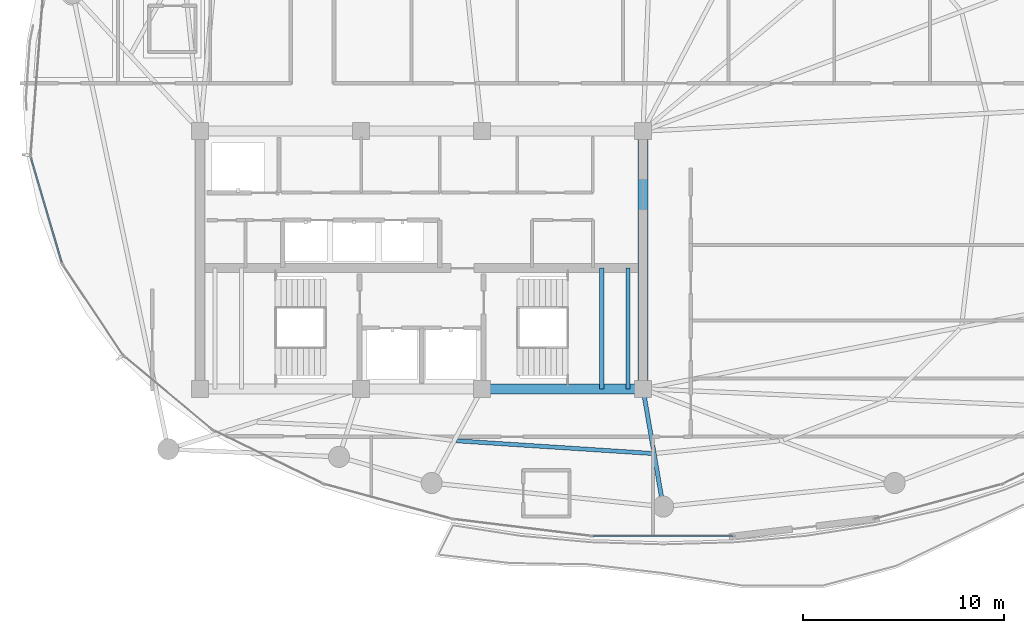
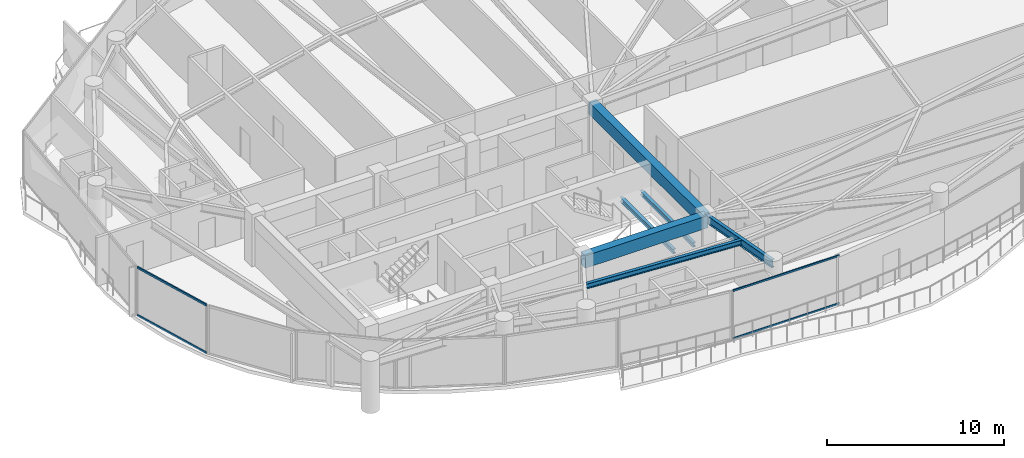
# One storey, part 7 of 31: 6 beams, 4 members, 2 elements without a shape of their own.
"""IFC4 building model written with IfcOpenShell, lengths in metres."""

from ifc_helpers import new_model, si_unit, direction, frame, origin, origin_2d, place, context, subcontext, project, spatial, rectangle, hollow_rectangle, i_section, extrude, material, layer, layer_set, material_profile, profile_set, type_object, element, aggregate, save


model = new_model("IFC4")

# Units and contexts
model_context = context("Model", 3, precision=1e-05, world=origin(), true_north=direction((0.0, 1.0)))
body_context = subcontext(model_context, "Body", "Model", "MODEL_VIEW")
ifc_project = project(units=[si_unit("LENGTHUNIT", "METRE"), si_unit("AREAUNIT", "SQUARE_METRE"), si_unit("VOLUMEUNIT", "CUBIC_METRE"), si_unit("PLANEANGLEUNIT", "RADIAN"), si_unit("MASSUNIT", "GRAM", prefix="KILO")], contexts=[model_context])

# Site, building, storey
site_placement = place(None, origin())
site = spatial("IfcSite", under=ifc_project, at=site_placement, CompositionType="ELEMENT")
building_placement = place(site_placement, origin())
building = spatial("IfcBuilding", under=site, at=building_placement, Name="Kazevale Care Tower and Concert Hall", CompositionType="ELEMENT")
storey_placement = place(building_placement, frame((0.0, 0.0, 235.199951171875)))
storey = spatial("IfcBuildingStorey", under=building, at=storey_placement, Name="L62", CompositionType="ELEMENT", Elevation=235.199951171875)

# Curtain wall, members
ifc_material_1 = material(Name="Aluminium 6063-T6 and Low-E Glass", Category="aluminium")
ifc_layer_1 = layer(ifc_material_1, 0.179931640625)
ifc_layer_set_1 = layer_set([ifc_layer_1], Name="Aluminium 6063-T6 and Low-E Glass")
curtain_wall_type_1 = type_object("IfcCurtainWallType", Name="Waist & Upper Residential Curtain Wall CW-4", PredefinedType="NOTDEFINED", material=ifc_layer_set_1)
curtain_wall_1_placement = place(storey_placement, origin())
curtain_wall_1 = element("IfcCurtainWall", 1, at=curtain_wall_1_placement, inside=storey, type_object=curtain_wall_type_1, Name="cw:L62:f12", PredefinedType="NOTDEFINED")
ifc_material_2 = material(Name="Aluminium 6063-T6", Category="aluminium")
ifc_material_profile_1 = material_profile(ifc_material_2, hollow_rectangle(XDim=0.080078125, YDim=0.139892578125, WallThickness=0.00390625, at=origin_2d()), Name="ALU80x140x4")
ifc_profile_set_1 = profile_set([ifc_material_profile_1], Name="Aluminium 6063-T6")
member_type_1 = type_object("IfcMemberType", Name="CW-4 Transom ALU80x140x4", PredefinedType="USERDEFINED", material=ifc_profile_set_1)
member_1_placement = place(storey_placement, frame((15.12548828125, 29.897705078125, 0.0400390625), z_axis=(-0.282102705943, 0.95938421047, 0.0), x_axis=(-0.95938421047, -0.282102705943, 0.0)))
member_1 = element("IfcMember", 2, at=member_1_placement, type_object=member_type_1, Name="CW-4 transom 1.1", ObjectType="TRANSOM", PredefinedType="USERDEFINED", context=body_context, shape_type="SweptSolid", body=[
    extrude(hollow_rectangle(XDim=0.080078125, YDim=0.139892578125, WallThickness=0.00390625, at=origin_2d()), origin(), (0.0, 0.0, 1.0), 5.402099609375),
])
member_2_placement = place(storey_placement, frame((15.12548828125, 29.897705078125, 3.320068359375), z_axis=(-0.282102705943, 0.95938421047, 0.0), x_axis=(-0.95938421047, -0.282102705943, 0.0)))
member_2 = element("IfcMember", 3, at=member_2_placement, type_object=member_type_1, Name="CW-4 transom 1.2", ObjectType="TRANSOM", PredefinedType="USERDEFINED", context=body_context, shape_type="SweptSolid", body=[
    extrude(hollow_rectangle(XDim=0.080078125, YDim=0.139892578125, WallThickness=0.00390625, at=origin_2d()), origin(), (0.0, 0.0, 1.0), 5.402099609375),
])
aggregate(curtain_wall_1, [member_1, member_2])

ifc_layer_2 = layer(ifc_material_1, 0.179931640625)
ifc_layer_set_2 = layer_set([ifc_layer_2], Name="Aluminium 6063-T6 and Low-E Glass")
curtain_wall_type_2 = type_object("IfcCurtainWallType", Name="Sheltered Concave Balcony Curtain Wall CW-5", PredefinedType="NOTDEFINED", material=ifc_layer_set_2)
curtain_wall_2_placement = place(storey_placement, origin())
curtain_wall_2 = element("IfcCurtainWall", 4, at=curtain_wall_2_placement, inside=storey, type_object=curtain_wall_type_2, Name="cw:L62:f06", PredefinedType="NOTDEFINED")
ifc_material_profile_2 = material_profile(ifc_material_2, hollow_rectangle(XDim=0.074951171875, YDim=0.1201171875, WallThickness=0.00390625, at=origin_2d()), Name="ALU75x120x4")
ifc_profile_set_2 = profile_set([ifc_material_profile_2], Name="Aluminium 6063-T6")
member_type_2 = type_object("IfcMemberType", Name="CW-5 Transom ALU75x120x4", PredefinedType="USERDEFINED", material=ifc_profile_set_2)
member_3_placement = place(storey_placement, frame((48.47509765625, 16.284912109375, 0.03759765625), z_axis=(-1.0, 0.0, 0.0), x_axis=(0.0, -1.0, 0.0)))
member_3 = element("IfcMember", 5, at=member_3_placement, type_object=member_type_2, Name="CW-5 transom 1.1", ObjectType="TRANSOM", PredefinedType="USERDEFINED", context=body_context, shape_type="SweptSolid", body=[
    extrude(hollow_rectangle(XDim=0.074951171875, YDim=0.1201171875, WallThickness=0.00390625, at=origin_2d()), origin(), (0.0, 0.0, 1.0), 6.9501953125),
])
member_4_placement = place(storey_placement, frame((48.47509765625, 16.284912109375, 3.322509765625), z_axis=(-1.0, 0.0, 0.0), x_axis=(0.0, -1.0, 0.0)))
member_4 = element("IfcMember", 6, at=member_4_placement, type_object=member_type_2, Name="CW-5 transom 1.2", ObjectType="TRANSOM", PredefinedType="USERDEFINED", context=body_context, shape_type="SweptSolid", body=[
    extrude(hollow_rectangle(XDim=0.074951171875, YDim=0.1201171875, WallThickness=0.00390625, at=origin_2d()), origin(), (0.0, 0.0, 1.0), 6.9501953125),
])
aggregate(curtain_wall_2, [member_3, member_4])

# Beams
ifc_material_3 = material(Name="Concrete C60", Category="concrete")
ifc_material_profile_3 = material_profile(ifc_material_3, rectangle(XDim=0.5, YDim=0.85009765625, at=origin_2d()), Name="RC-B500x850")
ifc_profile_set_3 = profile_set([ifc_material_profile_3], Name="Concrete C60")
beam_type_1 = type_object("IfcBeamType", Name="Core Coupling Beam RC500x850", PredefinedType="LINTEL", material=ifc_profile_set_3)
beam_1_placement = place(storey_placement, frame((36.0, 23.60009765625, 2.93505859375), z_axis=(1.0, 0.0, 0.0), x_axis=(0.0, 1.0, 0.0)))
element("IfcBeam", 7, at=beam_1_placement, inside=storey, type_object=beam_type_1, Name="beam:L62:coretie:3", PredefinedType="LINTEL", context=body_context, shape_type="SweptSolid", body=[
    extrude(rectangle(XDim=0.5, YDim=0.85009765625, at=origin_2d()), origin(), (0.0, 0.0, 1.0), 8.0),
])
beam_2_placement = place(storey_placement, frame((44.0, 23.60009765625, 2.93505859375), z_axis=(0.0, 1.0, 0.0), x_axis=(-1.0, 0.0, 0.0)))
element("IfcBeam", 8, at=beam_2_placement, inside=storey, type_object=beam_type_1, Name="beam:L62:coretie:4", PredefinedType="LINTEL", context=body_context, shape_type="SweptSolid", body=[
    extrude(rectangle(XDim=0.5, YDim=0.85009765625, at=origin_2d()), origin(), (0.0, 0.0, 1.0), 12.7998046875),
])
ifc_material_4 = material(Name="Steel ASTM A572 Gr 50", Category="steel")
ifc_material_profile_4 = material_profile(ifc_material_4, i_section(OverallWidth=0.2119140625, OverallDepth=0.5439453125, WebThickness=0.01318359375, FlangeThickness=0.021240234375, at=origin_2d()), Name="W530x123")
ifc_profile_set_4 = profile_set([ifc_material_profile_4], Name="Steel ASTM A572 Gr 50")
beam_type_2 = type_object("IfcBeamType", Name="Radial Floor Girder W530x123", PredefinedType="BEAM", material=ifc_profile_set_4)
beam_3_placement = place(storey_placement, frame((44.0, 23.60009765625, 3.088134765625), z_axis=(0.168493389607, -0.985702783631, 0.0), x_axis=(0.985702783631, 0.168493389607, 0.0)))
element("IfcBeam", 9, at=beam_3_placement, inside=storey, type_object=beam_type_2, Name="beam:L62:rad:13", PredefinedType="BEAM", context=body_context, shape_type="SweptSolid", body=[
    extrude(i_section(OverallWidth=0.2119140625, OverallDepth=0.5439453125, WebThickness=0.01318359375, FlangeThickness=0.021240234375, at=origin_2d()), origin(), (0.0, 0.0, 1.0), 5.93505859375),
])
ifc_material_profile_5 = material_profile(ifc_material_4, i_section(OverallWidth=0.205078125, OverallDepth=0.35400390625, WebThickness=0.009521484375, FlangeThickness=0.016845703125, at=origin_2d()), Name="W360x79")
ifc_profile_set_5 = profile_set([ifc_material_profile_5], Name="Steel ASTM A572 Gr 50")
beam_type_3 = type_object("IfcBeamType", Name="Secondary Floor Joist W360x79", PredefinedType="JOIST", material=ifc_profile_set_5)
beam_4_placement = place(storey_placement, frame((34.72998046875, 21.01904296875, 3.18310546875), z_axis=(0.997903161374, -0.064724651559, 0.0), x_axis=(0.064724651559, 0.997903161374, 0.0)))
element("IfcBeam", 10, at=beam_4_placement, inside=storey, type_object=beam_type_3, Name="beam:L62:joist:12", PredefinedType="JOIST", context=body_context, shape_type="SweptSolid", body=[
    extrude(i_section(OverallWidth=0.205078125, OverallDepth=0.35400390625, WebThickness=0.009521484375, FlangeThickness=0.016845703125, at=origin_2d()), origin(), (0.0, 0.0, 1.0), 9.735595703125),
])
ifc_material_profile_6 = material_profile(ifc_material_4, i_section(OverallWidth=0.202880859375, OverallDepth=0.302978515625, WebThickness=0.007568359375, FlangeThickness=0.01318359375, at=origin_2d()), Name="W310x60")
ifc_profile_set_6 = profile_set([ifc_material_profile_6], Name="Steel ASTM A572 Gr 50")
beam_type_4 = type_object("IfcBeamType", Name="Stair & Balcony Trimmer W310x60", PredefinedType="BEAM", material=ifc_profile_set_6)
for number, where, z_axis, x_axis, name in (
    (11, (41.949951171875, 23.60009765625, 1.448486328125), (0.0, 1.0, 0.0), (-1.0, 0.0, 0.0), "beam:L62:sttrim:ST2"),
    (12, (43.25, 23.60009765625, 1.448486328125), (0.0, 1.0, 0.0), (-1.0, 0.0, 0.0), "beam:L62:sttrim:ST2b"),
):
    element("IfcBeam", number, at=place(storey_placement, frame(where, z_axis=z_axis, x_axis=x_axis)), inside=storey, type_object=beam_type_4, Name=name, PredefinedType="BEAM", context=body_context, shape_type="SweptSolid", body=[
        extrude(i_section(OverallWidth=0.202880859375, OverallDepth=0.302978515625, WebThickness=0.007568359375, FlangeThickness=0.01318359375, at=origin_2d()), origin(), (0.0, 0.0, 1.0), 6.0),
    ])

save(model, "model.ifc")
